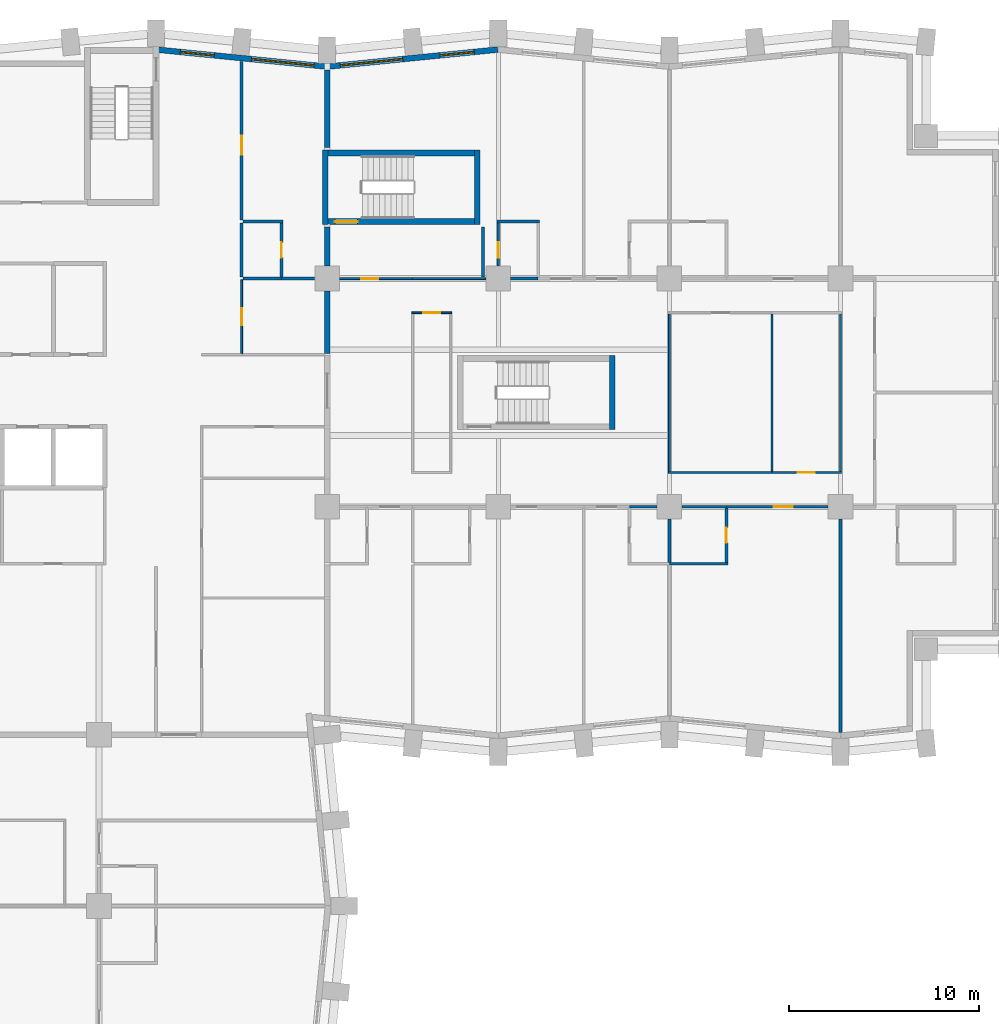
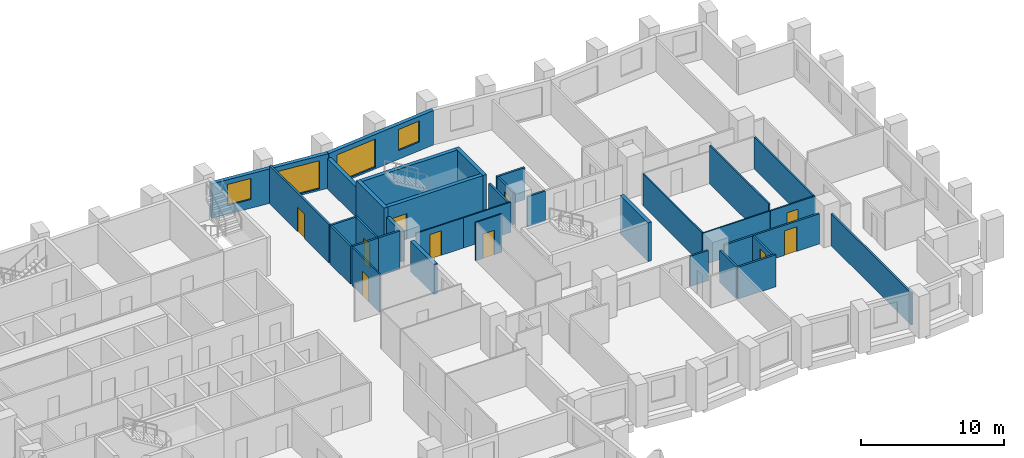
# One storey, part 8 of 12: 36 walls, 10 doors, 4 windows, 14 openings.
"""IFC4 building model written with IfcOpenShell, lengths in metres."""

from ifc_helpers import new_model, si_unit, direction, frame, frame_2d, origin, place, context, subcontext, project, spatial, rectangle, extrude, material, layer, layer_set, type_object, element, fill, save


model = new_model("IFC4")

# Units and contexts
model_context = context("Model", 3, precision=1e-05, world=origin(), true_north=direction((0.0, 1.0)))
body_context = subcontext(model_context, "Body", "Model", "MODEL_VIEW")
ifc_project = project(units=[si_unit("LENGTHUNIT", "METRE"), si_unit("AREAUNIT", "SQUARE_METRE"), si_unit("VOLUMEUNIT", "CUBIC_METRE"), si_unit("PLANEANGLEUNIT", "RADIAN"), si_unit("MASSUNIT", "GRAM", prefix="KILO")], contexts=[model_context])

# Site, building, storey
site_placement = place(None, origin())
site = spatial("IfcSite", under=ifc_project, at=site_placement, CompositionType="ELEMENT")
building_placement = place(site_placement, origin())
building = spatial("IfcBuilding", under=site, at=building_placement, Name="Brondeck Convention Tower", CompositionType="ELEMENT")
storey_placement = place(building_placement, frame((0.0, 0.0, 51.89990234375)))
storey = spatial("IfcBuildingStorey", under=building, at=storey_placement, Name="L10", CompositionType="ELEMENT", Elevation=51.89990234375)

# Walls
ifc_material_1 = material(Name="Concrete compartment wall C30/37", Category="concrete")
ifc_layer_1 = layer(ifc_material_1, 0.300048828125)
ifc_layer_set_1 = layer_set([ifc_layer_1], Name="Compartment wall 300")
wall_type_1 = type_object("IfcWallType", Name="Compartment wall 300", PredefinedType="PARTITIONING", material=ifc_layer_set_1)
wall_1_placement = place(storey_placement, frame((36.0, 50.344970703125, 0.0), z_axis=(0.0, 0.0, 1.0), x_axis=(0.0, -1.0, 0.0)))
element("IfcWall", 1, at=wall_1_placement, inside=storey, type_object=wall_type_1, Name="FLR-L10-W100", PredefinedType="PARTITIONING", context=body_context, shape_type="SweptSolid", body=[
    extrude(rectangle(XDim=3.294921875, YDim=0.300048828125, at=frame_2d((1.6474609375, 0.0))), origin(), (0.0, 0.0, 1.0), 2.580078125),
])
wall_2_placement = place(storey_placement, frame((36.0, 53.699951171875, 0.0), z_axis=(0.0, 0.0, 1.0), x_axis=(0.0, -1.0, 0.0)))
element("IfcWall", 2, at=wall_2_placement, inside=storey, type_object=wall_type_1, Name="FLR-L10-W117", PredefinedType="PARTITIONING", context=body_context, shape_type="SweptSolid", body=[
    extrude(rectangle(XDim=2.044921875, YDim=0.300048828125, at=frame_2d((1.0224609375, 0.0))), origin(), (0.0, 0.0, 1.0), 2.580078125),
])
wall_3_placement = place(storey_placement, frame((36.0, 61.97509765625, 0.0), z_axis=(0.0, 0.0, 1.0), x_axis=(0.0, -1.0, 0.0)))
element("IfcWall", 3, at=wall_3_placement, inside=storey, type_object=wall_type_1, Name="FLR-L10-W127", PredefinedType="PARTITIONING", context=body_context, shape_type="SweptSolid", body=[
    extrude(rectangle(XDim=4.0751953125, YDim=0.300048828125, at=frame_2d((2.03759765625, 0.0))), origin(), (0.0, 0.0, 1.0), 2.580078125),
])

# Wall, openings, windows
ifc_material_2 = material(Name="Precast concrete C50/60 bronze finish", Category="concrete")
ifc_layer_2 = layer(ifc_material_2, 0.070068359375, Name="Bronze precast facing")
ifc_material_3 = material(Name="Mineral wool")
ifc_layer_3 = layer(ifc_material_3, 0.159912109375, Name="Insulation")
ifc_material_4 = material(Name="Concrete C35/45", Category="concrete")
ifc_layer_4 = layer(ifc_material_4, 0.070068359375, Name="Backing")
ifc_layer_set_2 = layer_set([ifc_layer_2, ifc_layer_3, ifc_layer_4], Name="External infill wall, precast concrete C50/60 bronze facing")
wall_type_2 = type_object("IfcWallType", Name="External infill wall, precast concrete C50/60 bronze facing", PredefinedType="SOLIDWALL", material=ifc_layer_set_2)
wall_4_placement = place(storey_placement, frame((35.985107421875, 62.144287109375, 0.0), z_axis=(0.0, 0.0, 1.0), x_axis=(0.995037993253, 0.099495688264, 0.0)))
wall_4 = element("IfcWall", 4, at=wall_4_placement, inside=storey, type_object=wall_type_2, Name="ENV-EW-L10-P0-A-N-09", PredefinedType="SOLIDWALL", context=body_context, shape_type="SweptSolid", body=[
    extrude(rectangle(XDim=9.030029296875, YDim=0.300048828125, at=frame_2d((4.51513671875, 0.0))), origin(), (0.0, 0.0, 1.0), 2.9501953125),
])
opening_1_placement = place(wall_4_placement, frame((0.711181640625, 0.0, 0.14990234375)))
opening_1 = element("IfcOpeningElement", 5, at=opening_1_placement, cuts=wall_4, Name="Opening W9", PredefinedType="OPENING", context=body_context, shape_type="SweptSolid", body=[
    extrude(rectangle(XDim=3.300048828125, YDim=2.39990234375, at=frame_2d((1.64990234375, 1.199951171875))), frame((0.0, 0.159912109375, 0.0), z_axis=(0.0, -1.0, 0.0), x_axis=(1.0, 0.0, 0.0)), (0.0, 0.0, 1.0), 0.320068359375),
])
opening_2_placement = place(wall_4_placement, frame((5.983642578125, 0.0, 0.75)))
opening_2 = element("IfcOpeningElement", 6, at=opening_2_placement, cuts=wall_4, Name="Opening W10", PredefinedType="OPENING", context=body_context, shape_type="SweptSolid", body=[
    extrude(rectangle(XDim=1.800048828125, YDim=1.800048828125, at=frame_2d((0.89990234375, 0.89990234375))), frame((0.0, 0.159912109375, 0.0), z_axis=(0.0, -1.0, 0.0), x_axis=(1.0, 0.0, 0.0)), (0.0, 0.0, 1.0), 0.320068359375),
])
ifc_material_5 = material(Name="Bronze tinted double glazing", Category="glass")
window_type_1 = type_object("IfcWindowType", Name="Glazed flute window, bronze tinted", PartitioningType="SINGLE_PANEL", PredefinedType="WINDOW", material=ifc_material_5)
window_1_placement = place(opening_1_placement, origin())
window_1 = element("IfcWindow", 7, at=window_1_placement, inside=storey, type_object=window_type_1, Name="ENV-WN-L10-P0-A-N-08", OverallHeight=2.39990234375, OverallWidth=3.300048828125, PartitioningType="SINGLE_PANEL", PredefinedType="WINDOW", context=body_context, shape_type="SweptSolid", body=[
    extrude(rectangle(XDim=3.300048828125, YDim=2.39990234375, at=frame_2d((1.64990234375, 1.199951171875))), frame((0.0, 0.030029296875, 0.0), z_axis=(0.0, -1.0, 0.0), x_axis=(1.0, 0.0, 0.0)), (0.0, 0.0, 1.0), 0.06005859375),
])
fill(opening_1, window_1)
window_type_2 = type_object("IfcWindowType", Name="Punched window, bronze tinted", PartitioningType="SINGLE_PANEL", PredefinedType="WINDOW", material=ifc_material_5)
window_2_placement = place(opening_2_placement, origin())
window_2 = element("IfcWindow", 8, at=window_2_placement, inside=storey, type_object=window_type_2, Name="ENV-WN-L10-P0-A-N-09", OverallHeight=1.800048828125, OverallWidth=1.800048828125, PartitioningType="SINGLE_PANEL", PredefinedType="WINDOW", context=body_context, shape_type="SweptSolid", body=[
    extrude(rectangle(XDim=1.800048828125, YDim=1.800048828125, at=frame_2d((0.89990234375, 0.89990234375))), frame((0.0, 0.030029296875, 0.0), z_axis=(0.0, -1.0, 0.0), x_axis=(1.0, 0.0, 0.0)), (0.0, 0.0, 1.0), 0.06005859375),
])
fill(opening_2, window_2)

wall_5_placement = place(storey_placement, frame((27.064697265625, 63.039306640625, 0.0), z_axis=(0.0, 0.0, 1.0), x_axis=(0.995036379926, -0.099511821531, 0.0)))
wall_5 = element("IfcWall", 9, at=wall_5_placement, inside=storey, type_object=wall_type_2, Name="ENV-EW-L10-P0-A-N-07", PredefinedType="SOLIDWALL", context=body_context, shape_type="SweptSolid", body=[
    extrude(rectangle(XDim=8.949951171875, YDim=0.300048828125, at=frame_2d((4.47509765625, 0.0))), origin(), (0.0, 0.0, 1.0), 2.9501953125),
])
opening_3_placement = place(wall_5_placement, frame((1.211181640625, 0.0, 0.75)))
opening_3 = element("IfcOpeningElement", 10, at=opening_3_placement, cuts=wall_5, Name="Opening W10", PredefinedType="OPENING", context=body_context, shape_type="SweptSolid", body=[
    extrude(rectangle(XDim=1.800048828125, YDim=1.800048828125, at=frame_2d((0.89990234375, 0.89990234375))), frame((0.0, 0.159912109375, 0.0), z_axis=(0.0, -1.0, 0.0), x_axis=(1.0, 0.0, 0.0)), (0.0, 0.0, 1.0), 0.320068359375),
])
opening_4_placement = place(wall_5_placement, frame((4.983642578125, 0.0, 0.14990234375)))
opening_4 = element("IfcOpeningElement", 11, at=opening_4_placement, cuts=wall_5, Name="Opening W9", PredefinedType="OPENING", context=body_context, shape_type="SweptSolid", body=[
    extrude(rectangle(XDim=3.300048828125, YDim=2.39990234375, at=frame_2d((1.64990234375, 1.199951171875))), frame((0.0, 0.159912109375, 0.0), z_axis=(0.0, -1.0, 0.0), x_axis=(1.0, 0.0, 0.0)), (0.0, 0.0, 1.0), 0.320068359375),
])
window_3_placement = place(opening_4_placement, origin())
window_3 = element("IfcWindow", 12, at=window_3_placement, inside=storey, type_object=window_type_1, Name="ENV-WN-L10-P0-A-N-07", OverallHeight=2.39990234375, OverallWidth=3.300048828125, PartitioningType="SINGLE_PANEL", PredefinedType="WINDOW", context=body_context, shape_type="SweptSolid", body=[
    extrude(rectangle(XDim=3.300048828125, YDim=2.39990234375, at=frame_2d((1.64990234375, 1.199951171875))), frame((0.0, 0.030029296875, 0.0), z_axis=(0.0, -1.0, 0.0), x_axis=(1.0, 0.0, 0.0)), (0.0, 0.0, 1.0), 0.06005859375),
])
fill(opening_4, window_3)
window_4_placement = place(opening_3_placement, origin())
window_4 = element("IfcWindow", 13, at=window_4_placement, inside=storey, type_object=window_type_2, Name="ENV-WN-L10-P0-A-N-06", OverallHeight=1.800048828125, OverallWidth=1.800048828125, PartitioningType="SINGLE_PANEL", PredefinedType="WINDOW", context=body_context, shape_type="SweptSolid", body=[
    extrude(rectangle(XDim=1.800048828125, YDim=1.800048828125, at=frame_2d((0.89990234375, 0.89990234375))), frame((0.0, 0.030029296875, 0.0), z_axis=(0.0, -1.0, 0.0), x_axis=(1.0, 0.0, 0.0)), (0.0, 0.0, 1.0), 0.06005859375),
])
fill(opening_3, window_4)

# Wall
ifc_material_6 = material(Name="Double gypsum board acoustic wall")
ifc_layer_5 = layer(ifc_material_6, 0.14990234375)
ifc_layer_set_3 = layer_set([ifc_layer_5], Name="Guest room party wall 150")
wall_type_3 = type_object("IfcWallType", Name="Guest room party wall 150", PredefinedType="PARTITIONING", material=ifc_layer_set_3)
wall_6_placement = place(storey_placement, frame((54.0, 36.0, 0.0), z_axis=(0.0, 0.0, 1.0), x_axis=(1.0, 0.0, 0.0)))
element("IfcWall", 14, at=wall_6_placement, inside=storey, type_object=wall_type_3, Name="FLR-L10-W054", PredefinedType="PARTITIONING", context=body_context, shape_type="SweptSolid", body=[
    extrude(rectangle(XDim=3.074951171875, YDim=0.14990234375, at=frame_2d((1.53759765625, 0.0))), origin(), (0.0, 0.0, 1.0), 2.72998046875),
])

# Wall, opening, door
wall_7_placement = place(storey_placement, frame((57.0, 36.074951171875, 0.0), z_axis=(0.0, 0.0, 1.0), x_axis=(0.0, 1.0, 0.0)))
wall_7 = element("IfcWall", 15, at=wall_7_placement, inside=storey, type_object=wall_type_3, Name="FLR-L10-W058", PredefinedType="PARTITIONING", context=body_context, shape_type="SweptSolid", body=[
    extrude(rectangle(XDim=2.85009765625, YDim=0.14990234375, at=frame_2d((1.425048828125, 0.0))), origin(), (0.0, 0.0, 1.0), 2.580078125),
])
opening_5_placement = place(wall_7_placement, frame((1.02490234375, 0.0, 0.0)))
opening_5 = element("IfcOpeningElement", 16, at=opening_5_placement, cuts=wall_7, Name="Opening H2-015", PredefinedType="OPENING", context=body_context, shape_type="SweptSolid", body=[
    extrude(rectangle(XDim=0.800048828125, YDim=2.10009765625, at=frame_2d((0.39990234375, 1.050048828125))), frame((0.0, 0.0849609375, 0.0), z_axis=(0.0, -1.0, 0.0), x_axis=(1.0, 0.0, 0.0)), (0.0, 0.0, 1.0), 0.169921875),
])
ifc_material_7 = material(Name="Solid timber door leaf", Category="wood")
door_type_1 = type_object("IfcDoorType", Name="En-suite door 800", OperationType="NOTDEFINED", PredefinedType="DOOR", material=ifc_material_7)
door_1_placement = place(opening_5_placement, origin())
door_1 = element("IfcDoor", 17, at=door_1_placement, inside=storey, type_object=door_type_1, Name="Door H2-015", OperationType="SINGLE_SWING_RIGHT", OverallHeight=2.10009765625, OverallWidth=0.800048828125, PredefinedType="DOOR", context=body_context, shape_type="SweptSolid", body=[
    extrude(rectangle(XDim=0.800048828125, YDim=2.10009765625, at=frame_2d((0.39990234375, 1.050048828125))), frame((0.0, 0.02490234375, 0.0), z_axis=(0.0, -1.0, 0.0), x_axis=(1.0, 0.0, 0.0)), (0.0, 0.0, 1.0), 0.050048828125),
])
fill(opening_5, door_1)

# Walls
wall_8_placement = place(storey_placement, frame((54.0, 38.344970703125, 0.0), z_axis=(0.0, 0.0, 1.0), x_axis=(0.0, -1.0, 0.0)))
element("IfcWall", 18, at=wall_8_placement, inside=storey, type_object=wall_type_3, Name="FLR-L10-W061", PredefinedType="PARTITIONING", context=body_context, shape_type="SweptSolid", body=[
    extrude(rectangle(XDim=2.27001953125, YDim=0.14990234375, at=frame_2d((1.135009765625, 0.0))), origin(), (0.0, 0.0, 1.0), 2.72998046875),
])
wall_9_placement = place(storey_placement, frame((63.0, 38.344970703125, 0.0), z_axis=(0.0, 0.0, 1.0), x_axis=(0.0, -1.0, 0.0)))
element("IfcWall", 19, at=wall_9_placement, inside=storey, type_object=wall_type_3, Name="FLR-L10-W062", PredefinedType="PARTITIONING", context=body_context, shape_type="SweptSolid", body=[
    extrude(rectangle(XDim=11.219970703125, YDim=0.14990234375, at=frame_2d((5.60986328125, 0.0))), origin(), (0.0, 0.0, 1.0), 2.72998046875),
])
wall_10_placement = place(storey_placement, frame((53.344970703125, 39.0, 0.0), z_axis=(0.0, 0.0, 1.0), x_axis=(-1.0, 0.0, 0.0)))
element("IfcWall", 20, at=wall_10_placement, inside=storey, type_object=wall_type_3, Name="FLR-L10-W073", PredefinedType="PARTITIONING", context=body_context, shape_type="SweptSolid", body=[
    extrude(rectangle(XDim=1.445068359375, YDim=0.14990234375, at=frame_2d((0.72265625, 0.0))), origin(), (0.0, 0.0, 1.0), 2.580078125),
])
wall_11_placement = place(storey_placement, frame((57.0, 39.0, 0.0), z_axis=(0.0, 0.0, 1.0), x_axis=(-1.0, 0.0, 0.0)))
element("IfcWall", 21, at=wall_11_placement, inside=storey, type_object=wall_type_3, Name="FLR-L10-W074", PredefinedType="PARTITIONING", context=body_context, shape_type="SweptSolid", body=[
    extrude(rectangle(XDim=2.344970703125, YDim=0.14990234375, at=frame_2d((1.17236328125, 0.0))), origin(), (0.0, 0.0, 1.0), 2.580078125),
])

# Wall, opening, door
wall_12_placement = place(storey_placement, frame((62.344970703125, 39.0, 0.0), z_axis=(0.0, 0.0, 1.0), x_axis=(-1.0, 0.0, 0.0)))
wall_12 = element("IfcWall", 22, at=wall_12_placement, inside=storey, type_object=wall_type_3, Name="FLR-L10-W075", PredefinedType="PARTITIONING", context=body_context, shape_type="SweptSolid", body=[
    extrude(rectangle(XDim=5.344970703125, YDim=0.14990234375, at=frame_2d((2.67236328125, 0.0))), origin(), (0.0, 0.0, 1.0), 2.580078125),
])
opening_6_placement = place(wall_12_placement, frame((1.844970703125, 0.0, 0.0)))
opening_6 = element("IfcOpeningElement", 23, at=opening_6_placement, cuts=wall_12, Name="Opening H2-014", PredefinedType="OPENING", context=body_context, shape_type="SweptSolid", body=[
    extrude(rectangle(XDim=1.0, YDim=2.10009765625, at=frame_2d((0.5, 1.050048828125))), frame((0.0, 0.0849609375, 0.0), z_axis=(0.0, -1.0, 0.0), x_axis=(1.0, 0.0, 0.0)), (0.0, 0.0, 1.0), 0.169921875),
])
ifc_material_8 = material(Name="Solid timber fire door leaf", Category="wood")
door_type_2 = type_object("IfcDoorType", Name="Guest room door 1000", OperationType="NOTDEFINED", PredefinedType="DOOR", material=ifc_material_8)
door_2_placement = place(opening_6_placement, origin())
door_2 = element("IfcDoor", 24, at=door_2_placement, inside=storey, type_object=door_type_2, Name="Door H2-014", OperationType="SINGLE_SWING_RIGHT", OverallHeight=2.10009765625, OverallWidth=1.0, PredefinedType="DOOR", context=body_context, shape_type="SweptSolid", body=[
    extrude(rectangle(XDim=1.0, YDim=2.10009765625, at=frame_2d((0.5, 1.050048828125))), frame((0.0, 0.02490234375, 0.0), z_axis=(0.0, -1.0, 0.0), x_axis=(1.0, 0.0, 0.0)), (0.0, 0.0, 1.0), 0.050048828125),
])
fill(opening_6, door_2)

# Walls
wall_13_placement = place(storey_placement, frame((31.574951171875, 51.0, 0.0), z_axis=(0.0, 0.0, 1.0), x_axis=(1.0, 0.0, 0.0)))
element("IfcWall", 25, at=wall_13_placement, inside=storey, type_object=wall_type_3, Name="FLR-L10-W103", PredefinedType="PARTITIONING", context=body_context, shape_type="SweptSolid", body=[
    extrude(rectangle(XDim=2.025146484375, YDim=0.14990234375, at=frame_2d((1.0126953125, 0.0))), origin(), (0.0, 0.0, 1.0), 3.280029296875),
])
wall_14_placement = place(storey_placement, frame((33.60009765625, 51.0, 0.0), z_axis=(0.0, 0.0, 1.0), x_axis=(1.0, 0.0, 0.0)))
element("IfcWall", 26, at=wall_14_placement, inside=storey, type_object=wall_type_3, Name="FLR-L10-W104", PredefinedType="PARTITIONING", context=body_context, shape_type="SweptSolid", body=[
    extrude(rectangle(XDim=1.744873046875, YDim=0.14990234375, at=frame_2d((0.87255859375, 0.0))), origin(), (0.0, 0.0, 1.0), 3.280029296875),
])
wall_15_placement = place(storey_placement, frame((45.655029296875, 51.0, 0.0), z_axis=(0.0, 0.0, 1.0), x_axis=(1.0, 0.0, 0.0)))
element("IfcWall", 27, at=wall_15_placement, inside=storey, type_object=wall_type_3, Name="FLR-L10-W107", PredefinedType="PARTITIONING", context=body_context, shape_type="SweptSolid", body=[
    extrude(rectangle(XDim=1.445068359375, YDim=0.14990234375, at=frame_2d((0.72265625, 0.0))), origin(), (0.0, 0.0, 1.0), 2.580078125),
])

# Wall, opening, door
wall_16_placement = place(storey_placement, frame((33.60009765625, 51.074951171875, 0.0), z_axis=(0.0, 0.0, 1.0), x_axis=(0.0, 1.0, 0.0)))
wall_16 = element("IfcWall", 28, at=wall_16_placement, inside=storey, type_object=wall_type_3, Name="FLR-L10-W114", PredefinedType="PARTITIONING", context=body_context, shape_type="SweptSolid", body=[
    extrude(rectangle(XDim=2.85009765625, YDim=0.14990234375, at=frame_2d((1.425048828125, 0.0))), origin(), (0.0, 0.0, 1.0), 3.280029296875),
])
opening_7_placement = place(wall_16_placement, frame((1.02490234375, 0.0, 0.0)))
opening_7 = element("IfcOpeningElement", 29, at=opening_7_placement, cuts=wall_16, Name="Opening H2-034", PredefinedType="OPENING", context=body_context, shape_type="SweptSolid", body=[
    extrude(rectangle(XDim=0.800048828125, YDim=2.10009765625, at=frame_2d((0.39990234375, 1.050048828125))), frame((0.0, 0.0849609375, 0.0), z_axis=(0.0, -1.0, 0.0), x_axis=(1.0, 0.0, 0.0)), (0.0, 0.0, 1.0), 0.169921875),
])
door_3_placement = place(opening_7_placement, origin())
door_3 = element("IfcDoor", 30, at=door_3_placement, inside=storey, type_object=door_type_1, Name="Door H2-034", OperationType="SINGLE_SWING_LEFT", OverallHeight=2.10009765625, OverallWidth=0.800048828125, PredefinedType="DOOR", context=body_context, shape_type="SweptSolid", body=[
    extrude(rectangle(XDim=0.800048828125, YDim=2.10009765625, at=frame_2d((0.39990234375, 1.050048828125))), frame((0.0, 0.02490234375, 0.0), z_axis=(0.0, -1.0, 0.0), x_axis=(1.0, 0.0, 0.0)), (0.0, 0.0, 1.0), 0.050048828125),
])
fill(opening_7, door_3)

# Walls
wall_17_placement = place(storey_placement, frame((44.199951171875, 53.699951171875, 0.0), z_axis=(0.0, 0.0, 1.0), x_axis=(0.0, -1.0, 0.0)))
element("IfcWall", 31, at=wall_17_placement, inside=storey, type_object=wall_type_3, Name="FLR-L10-W118", PredefinedType="PARTITIONING", context=body_context, shape_type="SweptSolid", body=[
    extrude(rectangle(XDim=2.625, YDim=0.14990234375, at=frame_2d((1.3125, 0.0))), origin(), (0.0, 0.0, 1.0), 2.580078125),
])
wall_18_placement = place(storey_placement, frame((31.5, 53.925048828125, 0.0), z_axis=(0.0, 0.0, 1.0), x_axis=(0.0, -1.0, 0.0)))
element("IfcWall", 32, at=wall_18_placement, inside=storey, type_object=wall_type_3, Name="FLR-L10-W119", PredefinedType="PARTITIONING", context=body_context, shape_type="SweptSolid", body=[
    extrude(rectangle(XDim=2.85009765625, YDim=0.14990234375, at=frame_2d((1.425048828125, 0.0))), origin(), (0.0, 0.0, 1.0), 3.280029296875),
])

# Wall, opening, door
wall_19_placement = place(storey_placement, frame((45.0, 53.925048828125, 0.0), z_axis=(0.0, 0.0, 1.0), x_axis=(0.0, -1.0, 0.0)))
wall_19 = element("IfcWall", 33, at=wall_19_placement, inside=storey, type_object=wall_type_3, Name="FLR-L10-W120", PredefinedType="PARTITIONING", context=body_context, shape_type="SweptSolid", body=[
    extrude(rectangle(XDim=2.27001953125, YDim=0.14990234375, at=frame_2d((1.135009765625, 0.0))), origin(), (0.0, 0.0, 1.0), 2.72998046875),
])
opening_8_placement = place(wall_19_placement, frame((1.02490234375, 0.0, 0.0)))
opening_8 = element("IfcOpeningElement", 34, at=opening_8_placement, cuts=wall_19, Name="Opening H2-003", PredefinedType="OPENING", context=body_context, shape_type="SweptSolid", body=[
    extrude(rectangle(XDim=0.800048828125, YDim=2.10009765625, at=frame_2d((0.39990234375, 1.050048828125))), frame((0.0, 0.0849609375, 0.0), z_axis=(0.0, -1.0, 0.0), x_axis=(1.0, 0.0, 0.0)), (0.0, 0.0, 1.0), 0.169921875),
])
door_4_placement = place(opening_8_placement, origin())
door_4 = element("IfcDoor", 35, at=door_4_placement, inside=storey, type_object=door_type_1, Name="Door H2-003", OperationType="SINGLE_SWING_RIGHT", OverallHeight=2.10009765625, OverallWidth=0.800048828125, PredefinedType="DOOR", context=body_context, shape_type="SweptSolid", body=[
    extrude(rectangle(XDim=0.800048828125, YDim=2.10009765625, at=frame_2d((0.39990234375, 1.050048828125))), frame((0.0, 0.02490234375, 0.0), z_axis=(0.0, -1.0, 0.0), x_axis=(1.0, 0.0, 0.0)), (0.0, 0.0, 1.0), 0.050048828125),
])
fill(opening_8, door_4)

# Walls
wall_20_placement = place(storey_placement, frame((33.675048828125, 54.0, 0.0), z_axis=(0.0, 0.0, 1.0), x_axis=(-1.0, 0.0, 0.0)))
element("IfcWall", 36, at=wall_20_placement, inside=storey, type_object=wall_type_3, Name="FLR-L10-W123", PredefinedType="PARTITIONING", context=body_context, shape_type="SweptSolid", body=[
    extrude(rectangle(XDim=2.10009765625, YDim=0.14990234375, at=frame_2d((1.050048828125, 0.0))), origin(), (0.0, 0.0, 1.0), 3.280029296875),
])
wall_21_placement = place(storey_placement, frame((47.175048828125, 54.0, 0.0), z_axis=(0.0, 0.0, 1.0), x_axis=(-1.0, 0.0, 0.0)))
element("IfcWall", 37, at=wall_21_placement, inside=storey, type_object=wall_type_3, Name="FLR-L10-W124", PredefinedType="PARTITIONING", context=body_context, shape_type="SweptSolid", body=[
    extrude(rectangle(XDim=2.25, YDim=0.14990234375, at=frame_2d((1.125, 0.0))), origin(), (0.0, 0.0, 1.0), 2.72998046875),
])

# Wall, opening, door
wall_22_placement = place(storey_placement, frame((31.5, 62.425048828125, 0.0), z_axis=(0.0, 0.0, 1.0), x_axis=(0.0, -1.0, 0.0)))
wall_22 = element("IfcWall", 38, at=wall_22_placement, inside=storey, type_object=wall_type_3, Name="FLR-L10-W129", PredefinedType="PARTITIONING", context=body_context, shape_type="SweptSolid", body=[
    extrude(rectangle(XDim=8.35009765625, YDim=0.14990234375, at=frame_2d((4.175048828125, 0.0))), origin(), (0.0, 0.0, 1.0), 3.280029296875),
])
opening_9_placement = place(wall_22_placement, frame((3.925048828125, 0.0, 0.0)))
opening_9 = element("IfcOpeningElement", 39, at=opening_9_placement, cuts=wall_22, Name="Opening H2-033", PredefinedType="OPENING", context=body_context, shape_type="SweptSolid", body=[
    extrude(rectangle(XDim=1.0, YDim=2.10009765625, at=frame_2d((0.5, 1.050048828125))), frame((0.0, 0.0849609375, 0.0), z_axis=(0.0, -1.0, 0.0), x_axis=(1.0, 0.0, 0.0)), (0.0, 0.0, 1.0), 0.169921875),
])
door_5_placement = place(opening_9_placement, origin())
door_5 = element("IfcDoor", 40, at=door_5_placement, inside=storey, type_object=door_type_2, Name="Door H2-033", OperationType="SINGLE_SWING_LEFT", OverallHeight=2.10009765625, OverallWidth=1.0, PredefinedType="DOOR", context=body_context, shape_type="SweptSolid", body=[
    extrude(rectangle(XDim=1.0, YDim=2.10009765625, at=frame_2d((0.5, 1.050048828125))), frame((0.0, 0.02490234375, 0.0), z_axis=(0.0, -1.0, 0.0), x_axis=(1.0, 0.0, 0.0)), (0.0, 0.0, 1.0), 0.050048828125),
])
fill(opening_9, door_5)

ifc_material_9 = material(Name="Gypsum board shaft wall on steel studs", Category="steel")
ifc_layer_6 = layer(ifc_material_9, 0.125)
ifc_layer_set_4 = layer_set([ifc_layer_6], Name="Riser wall 125")
wall_type_4 = type_object("IfcWallType", Name="Riser wall 125", PredefinedType="PARTITIONING", material=ifc_layer_set_4)
wall_23_placement = place(storey_placement, frame((59.39990234375, 40.800048828125, 0.0), z_axis=(0.0, 0.0, 1.0), x_axis=(1.0, 0.0, 0.0)))
wall_23 = element("IfcWall", 41, at=wall_23_placement, inside=storey, type_object=wall_type_4, Name="FLR-L10-W083", PredefinedType="PARTITIONING", context=body_context, shape_type="SweptSolid", body=[
    extrude(rectangle(XDim=3.66259765625, YDim=0.125, at=frame_2d((1.831298828125, 0.0))), origin(), (0.0, 0.0, 1.0), 2.72998046875),
])
opening_10_placement = place(wall_23_placement, frame((1.35009765625, 0.0, 0.0)))
opening_10 = element("IfcOpeningElement", 42, at=opening_10_placement, cuts=wall_23, Name="Opening H2-018", PredefinedType="OPENING", context=body_context, shape_type="SweptSolid", body=[
    extrude(rectangle(XDim=0.89990234375, YDim=2.10009765625, at=frame_2d((0.449951171875, 1.050048828125))), frame((0.0, 0.072509765625, 0.0), z_axis=(0.0, -1.0, 0.0), x_axis=(1.0, 0.0, 0.0)), (0.0, 0.0, 1.0), 0.14501953125),
])
door_type_3 = type_object("IfcDoorType", Name="Single door 900", OperationType="NOTDEFINED", PredefinedType="DOOR", material=ifc_material_7)
door_6_placement = place(opening_10_placement, origin())
door_6 = element("IfcDoor", 43, at=door_6_placement, inside=storey, type_object=door_type_3, Name="Door H2-018", OperationType="SINGLE_SWING_RIGHT", OverallHeight=2.10009765625, OverallWidth=0.89990234375, PredefinedType="DOOR", context=body_context, shape_type="SweptSolid", body=[
    extrude(rectangle(XDim=0.89990234375, YDim=2.10009765625, at=frame_2d((0.449951171875, 1.050048828125))), frame((0.0, 0.02490234375, 0.0), z_axis=(0.0, -1.0, 0.0), x_axis=(1.0, 0.0, 0.0)), (0.0, 0.0, 1.0), 0.050048828125),
])
fill(opening_10, door_6)

# Walls
wall_24_placement = place(storey_placement, frame((63.0, 40.862548828125, 0.0), z_axis=(0.0, 0.0, 1.0), x_axis=(0.0, 1.0, 0.0)))
element("IfcWall", 44, at=wall_24_placement, inside=storey, type_object=wall_type_4, Name="FLR-L10-W084", PredefinedType="PARTITIONING", context=body_context, shape_type="SweptSolid", body=[
    extrude(rectangle(XDim=8.27490234375, YDim=0.125, at=frame_2d((4.137451171875, 0.0))), origin(), (0.0, 0.0, 1.0), 2.72998046875),
])
wall_25_placement = place(storey_placement, frame((59.39990234375, 49.137451171875, 0.0), z_axis=(0.0, 0.0, 1.0), x_axis=(0.0, -1.0, 0.0)))
element("IfcWall", 45, at=wall_25_placement, inside=storey, type_object=wall_type_4, Name="FLR-L10-W093", PredefinedType="PARTITIONING", context=body_context, shape_type="SweptSolid", body=[
    extrude(rectangle(XDim=8.27490234375, YDim=0.125, at=frame_2d((4.137451171875, 0.0))), origin(), (0.0, 0.0, 1.0), 3.280029296875),
])
ifc_material_10 = material(Name="Gypsum board partition on steel studs", Category="steel")
ifc_layer_7 = layer(ifc_material_10, 0.10009765625)
ifc_layer_set_5 = layer_set([ifc_layer_7], Name="Room partition 100")
wall_type_5 = type_object("IfcWallType", Name="Room partition 100", PredefinedType="PARTITIONING", material=ifc_layer_set_5)
wall_26_placement = place(storey_placement, frame((53.949951171875, 40.800048828125, 0.0), z_axis=(0.0, 0.0, 1.0), x_axis=(1.0, 0.0, 0.0)))
element("IfcWall", 46, at=wall_26_placement, inside=storey, type_object=wall_type_5, Name="FLR-L10-W082", PredefinedType="PARTITIONING", context=body_context, shape_type="SweptSolid", body=[
    extrude(rectangle(XDim=5.449951171875, YDim=0.10009765625, at=frame_2d((2.72509765625, 0.0))), origin(), (0.0, 0.0, 1.0), 2.72998046875),
])
wall_27_placement = place(storey_placement, frame((54.0, 49.14990234375, 0.0), z_axis=(0.0, 0.0, 1.0), x_axis=(0.0, -1.0, 0.0)))
element("IfcWall", 47, at=wall_27_placement, inside=storey, type_object=wall_type_5, Name="FLR-L10-W096", PredefinedType="PARTITIONING", context=body_context, shape_type="SweptSolid", body=[
    extrude(rectangle(XDim=8.2998046875, YDim=0.10009765625, at=frame_2d((4.14990234375, 0.0))), origin(), (0.0, 0.0, 1.0), 2.72998046875),
])

# Wall, opening, door
wall_28_placement = place(storey_placement, frame((42.550048828125, 49.199951171875, 0.0), z_axis=(0.0, 0.0, 1.0), x_axis=(-1.0, 0.0, 0.0)))
wall_28 = element("IfcWall", 48, at=wall_28_placement, inside=storey, type_object=wall_type_5, Name="FLR-L10-W097", PredefinedType="PARTITIONING", context=body_context, shape_type="SweptSolid", body=[
    extrude(rectangle(XDim=2.10009765625, YDim=0.10009765625, at=frame_2d((1.050048828125, 0.0))), origin(), (0.0, 0.0, 1.0), 3.280029296875),
])
opening_11_placement = place(wall_28_placement, frame((0.60009765625, 0.0, 0.0)))
opening_11 = element("IfcOpeningElement", 49, at=opening_11_placement, cuts=wall_28, Name="Opening H2-016", PredefinedType="OPENING", context=body_context, shape_type="SweptSolid", body=[
    extrude(rectangle(XDim=0.89990234375, YDim=2.10009765625, at=frame_2d((0.449951171875, 1.050048828125))), frame((0.0, 0.06005859375, 0.0), z_axis=(0.0, -1.0, 0.0), x_axis=(1.0, 0.0, 0.0)), (0.0, 0.0, 1.0), 0.1201171875),
])
door_7_placement = place(opening_11_placement, origin())
door_7 = element("IfcDoor", 50, at=door_7_placement, inside=storey, type_object=door_type_3, Name="Door H2-016", OperationType="SINGLE_SWING_LEFT", OverallHeight=2.10009765625, OverallWidth=0.89990234375, PredefinedType="DOOR", context=body_context, shape_type="SweptSolid", body=[
    extrude(rectangle(XDim=0.89990234375, YDim=2.10009765625, at=frame_2d((0.449951171875, 1.050048828125))), frame((0.0, 0.02490234375, 0.0), z_axis=(0.0, -1.0, 0.0), x_axis=(1.0, 0.0, 0.0)), (0.0, 0.0, 1.0), 0.050048828125),
])
fill(opening_11, door_7)

wall_29_placement = place(storey_placement, frame((31.5, 50.925048828125, 0.0), z_axis=(0.0, 0.0, 1.0), x_axis=(0.0, -1.0, 0.0)))
wall_29 = element("IfcWall", 51, at=wall_29_placement, inside=storey, type_object=wall_type_5, Name="FLR-L10-W101", PredefinedType="PARTITIONING", context=body_context, shape_type="SweptSolid", body=[
    extrude(rectangle(XDim=3.875, YDim=0.10009765625, at=frame_2d((1.9375, 0.0))), origin(), (0.0, 0.0, 1.0), 3.280029296875),
])
opening_12_placement = place(wall_29_placement, frame((1.47509765625, 0.0, 0.0)))
opening_12 = element("IfcOpeningElement", 52, at=opening_12_placement, cuts=wall_29, Name="Opening H2-035", PredefinedType="OPENING", context=body_context, shape_type="SweptSolid", body=[
    extrude(rectangle(XDim=0.89990234375, YDim=2.10009765625, at=frame_2d((0.449951171875, 1.050048828125))), frame((0.0, 0.06005859375, 0.0), z_axis=(0.0, -1.0, 0.0), x_axis=(1.0, 0.0, 0.0)), (0.0, 0.0, 1.0), 0.1201171875),
])
door_8_placement = place(opening_12_placement, origin())
door_8 = element("IfcDoor", 53, at=door_8_placement, inside=storey, type_object=door_type_3, Name="Door H2-035", OperationType="SINGLE_SWING_LEFT", OverallHeight=2.10009765625, OverallWidth=0.89990234375, PredefinedType="DOOR", context=body_context, shape_type="SweptSolid", body=[
    extrude(rectangle(XDim=0.89990234375, YDim=2.10009765625, at=frame_2d((0.449951171875, 1.050048828125))), frame((0.0, 0.02490234375, 0.0), z_axis=(0.0, -1.0, 0.0), x_axis=(1.0, 0.0, 0.0)), (0.0, 0.0, 1.0), 0.050048828125),
])
fill(opening_12, door_8)

wall_30_placement = place(storey_placement, frame((40.5, 51.0, 0.0), z_axis=(0.0, 0.0, 1.0), x_axis=(-1.0, 0.0, 0.0)))
wall_30 = element("IfcWall", 54, at=wall_30_placement, inside=storey, type_object=wall_type_5, Name="FLR-L10-W105", PredefinedType="PARTITIONING", context=body_context, shape_type="SweptSolid", body=[
    extrude(rectangle(XDim=3.844970703125, YDim=0.10009765625, at=frame_2d((1.92236328125, 0.0))), origin(), (0.0, 0.0, 1.0), 2.580078125),
])
opening_13_placement = place(wall_30_placement, frame((1.800048828125, 0.0, 0.0)))
opening_13 = element("IfcOpeningElement", 55, at=opening_13_placement, cuts=wall_30, Name="Opening H2-001", PredefinedType="OPENING", context=body_context, shape_type="SweptSolid", body=[
    extrude(rectangle(XDim=0.89990234375, YDim=2.10009765625, at=frame_2d((0.449951171875, 1.050048828125))), frame((0.0, 0.06005859375, 0.0), z_axis=(0.0, -1.0, 0.0), x_axis=(1.0, 0.0, 0.0)), (0.0, 0.0, 1.0), 0.1201171875),
])
door_9_placement = place(opening_13_placement, origin())
door_9 = element("IfcDoor", 56, at=door_9_placement, inside=storey, type_object=door_type_3, Name="Door H2-001", OperationType="SINGLE_SWING_LEFT", OverallHeight=2.10009765625, OverallWidth=0.89990234375, PredefinedType="DOOR", context=body_context, shape_type="SweptSolid", body=[
    extrude(rectangle(XDim=0.89990234375, YDim=2.10009765625, at=frame_2d((0.449951171875, 1.050048828125))), frame((0.0, 0.02490234375, 0.0), z_axis=(0.0, -1.0, 0.0), x_axis=(1.0, 0.0, 0.0)), (0.0, 0.0, 1.0), 0.050048828125),
])
fill(opening_13, door_9)

# Wall
wall_31_placement = place(storey_placement, frame((44.330078125, 51.0, 0.0), z_axis=(0.0, 0.0, 1.0), x_axis=(-1.0, 0.0, 0.0)))
element("IfcWall", 57, at=wall_31_placement, inside=storey, type_object=wall_type_5, Name="FLR-L10-W106", PredefinedType="PARTITIONING", context=body_context, shape_type="SweptSolid", body=[
    extrude(rectangle(XDim=3.830078125, YDim=0.10009765625, at=frame_2d((1.9150390625, 0.0))), origin(), (0.0, 0.0, 1.0), 2.580078125),
])

# Wall, opening, door
ifc_material_11 = material(Name="Concrete C80/95", Category="concrete")
ifc_layer_8 = layer(ifc_material_11, 0.300048828125)
ifc_layer_set_6 = layer_set([ifc_layer_8], Name="Stair enclosure wall 300 Concrete C80/95")
wall_type_6 = type_object("IfcWallType", Name="Stair enclosure wall 300 Concrete C80/95", PredefinedType="SHEAR", material=ifc_layer_set_6)
wall_32_placement = place(storey_placement, frame((36.050048828125, 54.0, 0.0), z_axis=(0.0, 0.0, 1.0), x_axis=(1.0, 0.0, 0.0)))
wall_32 = element("IfcWall", 58, at=wall_32_placement, inside=storey, type_object=wall_type_6, Name="L10 core wall", PredefinedType="SHEAR", context=body_context, shape_type="SweptSolid", body=[
    extrude(rectangle(XDim=7.699951171875, YDim=0.300048828125, at=frame_2d((3.85009765625, 0.0))), origin(), (0.0, 0.0, 1.0), 3.300048828125),
])
opening_14_placement = place(wall_32_placement, frame((0.35009765625, 0.0, 0.0)))
opening_14 = element("IfcOpeningElement", 59, at=opening_14_placement, cuts=wall_32, Name="Opening C09-18", PredefinedType="OPENING", context=body_context, shape_type="SweptSolid", body=[
    extrude(rectangle(XDim=1.199951171875, YDim=2.199951171875, at=frame_2d((0.60009765625, 1.10009765625))), frame((0.0, 0.159912109375, 0.0), z_axis=(0.0, -1.0, 0.0), x_axis=(1.0, 0.0, 0.0)), (0.0, 0.0, 1.0), 0.320068359375),
])
ifc_material_12 = material(Name="Steel fire door", Category="steel")
door_type_4 = type_object("IfcDoorType", Name="Stair door 1200x2200 EI 90", OperationType="NOTDEFINED", PredefinedType="DOOR", material=ifc_material_12)
door_10_placement = place(opening_14_placement, origin())
door_10 = element("IfcDoor", 60, at=door_10_placement, inside=storey, type_object=door_type_4, Name="L10 Stair door ST-AE", OperationType="SINGLE_SWING_LEFT", OverallHeight=2.199951171875, OverallWidth=1.199951171875, PredefinedType="DOOR", context=body_context, shape_type="SweptSolid", body=[
    extrude(rectangle(XDim=1.199951171875, YDim=2.199951171875, at=frame_2d((0.60009765625, 1.10009765625))), frame((0.0, 0.02490234375, 0.0), z_axis=(0.0, -1.0, 0.0), x_axis=(1.0, 0.0, 0.0)), (0.0, 0.0, 1.0), 0.050048828125),
])
fill(opening_14, door_10)

# Walls
wall_33_placement = place(storey_placement, frame((36.050048828125, 57.60009765625, 0.0), z_axis=(0.0, 0.0, 1.0), x_axis=(1.0, 0.0, 0.0)))
element("IfcWall", 61, at=wall_33_placement, inside=storey, type_object=wall_type_6, Name="L10 core wall", PredefinedType="SHEAR", context=body_context, shape_type="SweptSolid", body=[
    extrude(rectangle(XDim=7.699951171875, YDim=0.300048828125, at=frame_2d((3.85009765625, 0.0))), origin(), (0.0, 0.0, 1.0), 3.300048828125),
])
for number, where, z_axis, x_axis, name in (
    (62, (35.89990234375, 53.85009765625, 0.0), (0.0, 0.0, 1.0), (0.0, 1.0, 0.0), "L10 core wall"),
    (63, (43.89990234375, 53.85009765625, 0.0), (0.0, 0.0, 1.0), (0.0, 1.0, 0.0), "L10 core wall"),
    (64, (51.0, 43.050048828125, 0.0), (0.0, 0.0, 1.0), (0.0, 1.0, 0.0), "L10 core wall"),
):
    element("IfcWall", number, at=place(storey_placement, frame(where, z_axis=z_axis, x_axis=x_axis)), inside=storey, type_object=wall_type_6, Name=name, PredefinedType="SHEAR", context=body_context, shape_type="SweptSolid", body=[
        extrude(rectangle(XDim=3.89990234375, YDim=0.300048828125, at=frame_2d((1.949951171875, 0.0))), origin(), (0.0, 0.0, 1.0), 3.300048828125),
    ])

save(model, "model.ifc")
